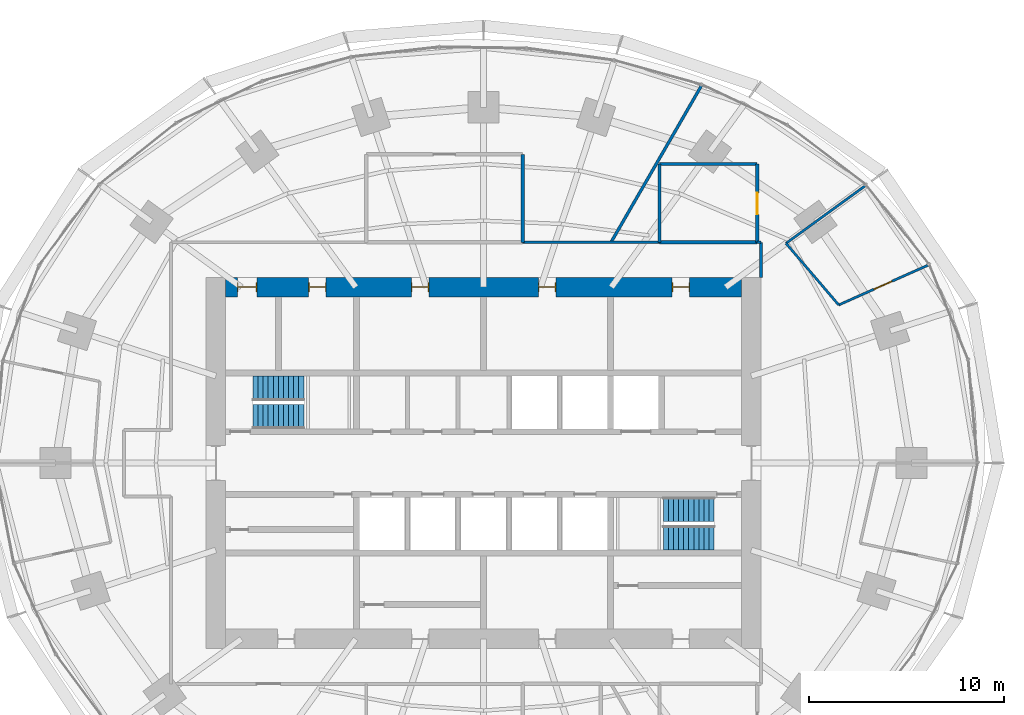
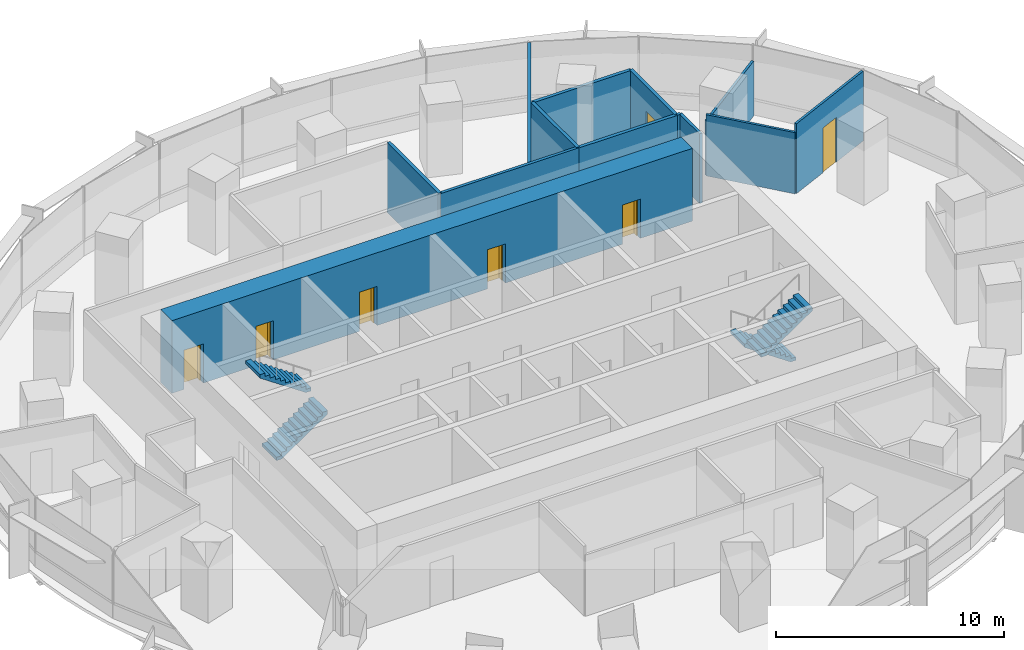
# One storey, part 12 of 14: 13 walls, 7 doors, 4 stair flights, 7 openings, 2 elements without a shape of their own.
"""IFC4 building model written with IfcOpenShell, lengths in metres."""

from ifc_helpers import new_model, si_unit, direction, frame, frame_2d, origin, place, context, subcontext, project, spatial, polyline, rectangle, outline, extrude, material, layer, layer_set, type_object, element, fill, aggregate, save


model = new_model("IFC4")

# Units and contexts
model_context = context("Model", 3, precision=1e-05, world=origin(), true_north=direction((0.0, 1.0)))
body_context = subcontext(model_context, "Body", "Model", "MODEL_VIEW")
ifc_project = project(units=[si_unit("LENGTHUNIT", "METRE"), si_unit("AREAUNIT", "SQUARE_METRE"), si_unit("VOLUMEUNIT", "CUBIC_METRE"), si_unit("PLANEANGLEUNIT", "RADIAN"), si_unit("MASSUNIT", "GRAM", prefix="KILO")], contexts=[model_context])

# Site, building, storey
site_placement = place(None, origin())
site = spatial("IfcSite", under=ifc_project, at=site_placement, CompositionType="ELEMENT")
building_placement = place(site_placement, origin())
building = spatial("IfcBuilding", under=site, at=building_placement, Name="Marramba Exchange Tower", CompositionType="ELEMENT")
storey_placement = place(building_placement, frame((0.0, 0.0, 150.89990234375)))
storey = spatial("IfcBuildingStorey", under=building, at=storey_placement, Name="L36", CompositionType="ELEMENT", Elevation=150.89990234375)

# Wall, opening, door
ifc_material_1 = material(Name="Plasterboard on staggered double steel studs, acoustic insulation", Category="steel")
ifc_layer_1 = layer(ifc_material_1, 0.169921875)
ifc_layer_set_1 = layer_set([ifc_layer_1], Name="Acoustic partition 170")
wall_type_1 = type_object("IfcWallType", Name="Acoustic partition 170", PredefinedType="PARTITIONING", material=ifc_layer_set_1)
wall_1_placement = place(storey_placement, frame((14.0, 11.300048828125, 0.0), z_axis=(0.0, 0.0, 1.0), x_axis=(0.0, 1.0, 0.0)))
wall_1 = element("IfcWall", 1, at=wall_1_placement, inside=storey, type_object=wall_type_1, Name="Acoustic partition L36 28", PredefinedType="PARTITIONING", context=body_context, shape_type="SweptSolid", body=[
    extrude(rectangle(XDim=4.0, YDim=0.169921875, at=frame_2d((2.0, 0.0))), origin(), (0.0, 0.0, 1.0), 3.739990234375),
])
opening_1_placement = place(wall_1_placement, frame((1.424072265625, 0.0, 0.0)))
opening_1 = element("IfcOpeningElement", 2, at=opening_1_placement, cuts=wall_1, Name="Opening D15", PredefinedType="OPENING", context=body_context, shape_type="SweptSolid", body=[
    extrude(rectangle(XDim=1.10009765625, YDim=2.39990234375, at=frame_2d((0.550048828125, 1.199951171875))), frame((0.0, 0.094970703125, 0.0), z_axis=(0.0, -1.0, 0.0), x_axis=(1.0, 0.0, 0.0)), (0.0, 0.0, 1.0), 0.18994140625),
])
ifc_material_2 = material(Name="Timber door", Category="wood")
door_type_1 = type_object("IfcDoorType", Name="Glazed meeting room door 1100x2400", OperationType="SINGLE_SWING_LEFT", PredefinedType="DOOR", material=ifc_material_2)
door_1_placement = place(opening_1_placement, origin())
door_1 = element("IfcDoor", 3, at=door_1_placement, inside=storey, type_object=door_type_1, Name="D15 Meeting Room 1 L36", OperationType="SINGLE_SWING_LEFT", OverallHeight=2.39990234375, OverallWidth=1.10009765625, PredefinedType="DOOR", context=body_context, shape_type="SweptSolid", body=[
    extrude(rectangle(XDim=1.10009765625, YDim=2.39990234375, at=frame_2d((0.550048828125, 1.199951171875))), frame((0.0, 0.02490234375, 0.0), z_axis=(0.0, -1.0, 0.0), x_axis=(1.0, 0.0, 0.0)), (0.0, 0.0, 1.0), 0.050048828125),
])
fill(opening_1, door_1)

# Walls
for number, where, z_axis, x_axis, name in (
    (4, (9.0, 11.300048828125, 0.0), (0.0, 0.0, 1.0), (1.0, 0.0, 0.0), "Acoustic partition L36 29"),
    (5, (14.0, 15.300048828125, 0.0), (0.0, 0.0, 1.0), (-1.0, 0.0, 0.0), "Acoustic partition L36 30"),
):
    element("IfcWall", number, at=place(storey_placement, frame(where, z_axis=z_axis, x_axis=x_axis)), inside=storey, type_object=wall_type_1, Name=name, PredefinedType="PARTITIONING", context=body_context, shape_type="SweptSolid", body=[
        extrude(rectangle(XDim=5.0, YDim=0.169921875, at=frame_2d((2.5, 0.0))), origin(), (0.0, 0.0, 1.0), 3.739990234375),
    ])
wall_2_placement = place(storey_placement, frame((9.0, 15.300048828125, 0.0), z_axis=(0.0, 0.0, 1.0), x_axis=(0.0, -1.0, 0.0)))
element("IfcWall", 6, at=wall_2_placement, inside=storey, type_object=wall_type_1, Name="Acoustic partition L36 31", PredefinedType="PARTITIONING", context=body_context, shape_type="SweptSolid", body=[
    extrude(rectangle(XDim=4.0, YDim=0.169921875, at=frame_2d((2.0, 0.0))), origin(), (0.0, 0.0, 1.0), 3.739990234375),
])
wall_3_placement = place(storey_placement, frame((2.0, 11.300048828125, 0.0), z_axis=(0.0, 0.0, 1.0), x_axis=(0.0, 1.0, 0.0)))
element("IfcWall", 7, at=wall_3_placement, inside=storey, type_object=wall_type_1, Name="Acoustic partition L36 34", PredefinedType="PARTITIONING", context=body_context, shape_type="SweptSolid", body=[
    extrude(rectangle(XDim=4.5, YDim=0.169921875, at=frame_2d((2.25, 0.0))), origin(), (0.0, 0.0, 1.0), 3.739990234375),
])

# Wall, openings, doors
ifc_material_3 = material(Name="Concrete N50", Category="concrete")
ifc_layer_2 = layer(ifc_material_3, 1.0)
ifc_layer_set_2 = layer_set([ifc_layer_2], Name="Core wall 1000")
wall_type_2 = type_object("IfcWallType", Name="Core wall 1000", PredefinedType="SHEAR", material=ifc_layer_set_2)
wall_4_placement = place(storey_placement, frame((13.199951171875, 9.0, 0.0), z_axis=(0.0, 0.0, 1.0), x_axis=(-1.0, 0.0, 0.0)))
wall_4 = element("IfcWall", 8, at=wall_4_placement, inside=storey, type_object=wall_type_2, Name="Core wall N L36", PredefinedType="SHEAR", context=body_context, shape_type="SweptSolid", body=[
    extrude(rectangle(XDim=26.39990234375, YDim=1.0, at=frame_2d((13.199951171875, 0.0))), origin(), (0.0, 0.0, 1.0), 3.900146484375),
])
opening_2_placement = place(wall_4_placement, frame((2.64990234375, 0.0, 0.0)))
opening_2 = element("IfcOpeningElement", 9, at=opening_2_placement, cuts=wall_4, Name="Opening D5", PredefinedType="OPENING", context=body_context, shape_type="SweptSolid", body=[
    extrude(rectangle(XDim=0.89990234375, YDim=2.10009765625, at=frame_2d((0.449951171875, 1.050048828125))), frame((0.0, 0.510009765625, 0.0), z_axis=(0.0, -1.0, 0.0), x_axis=(1.0, 0.0, 0.0)), (0.0, 0.0, 1.0), 1.02001953125),
])
opening_3_placement = place(wall_4_placement, frame((9.5, 0.0, 0.0)))
opening_3 = element("IfcOpeningElement", 10, at=opening_3_placement, cuts=wall_4, Name="Opening D3", PredefinedType="OPENING", context=body_context, shape_type="SweptSolid", body=[
    extrude(rectangle(XDim=0.89990234375, YDim=2.10009765625, at=frame_2d((0.449951171875, 1.050048828125))), frame((0.0, 0.510009765625, 0.0), z_axis=(0.0, -1.0, 0.0), x_axis=(1.0, 0.0, 0.0)), (0.0, 0.0, 1.0), 1.02001953125),
])
opening_4_placement = place(wall_4_placement, frame((16.0, 0.0, 0.0)))
opening_4 = element("IfcOpeningElement", 11, at=opening_4_placement, cuts=wall_4, Name="Opening D3", PredefinedType="OPENING", context=body_context, shape_type="SweptSolid", body=[
    extrude(rectangle(XDim=0.89990234375, YDim=2.10009765625, at=frame_2d((0.449951171875, 1.050048828125))), frame((0.0, 0.510009765625, 0.0), z_axis=(0.0, -1.0, 0.0), x_axis=(1.0, 0.0, 0.0)), (0.0, 0.0, 1.0), 1.02001953125),
])
opening_5_placement = place(wall_4_placement, frame((21.25, 0.0, 0.0)))
opening_5 = element("IfcOpeningElement", 12, at=opening_5_placement, cuts=wall_4, Name="Opening D5", PredefinedType="OPENING", context=body_context, shape_type="SweptSolid", body=[
    extrude(rectangle(XDim=0.89990234375, YDim=2.10009765625, at=frame_2d((0.449951171875, 1.050048828125))), frame((0.0, 0.510009765625, 0.0), z_axis=(0.0, -1.0, 0.0), x_axis=(1.0, 0.0, 0.0)), (0.0, 0.0, 1.0), 1.02001953125),
])
opening_6_placement = place(wall_4_placement, frame((24.800048828125, 0.0, 0.0)))
opening_6 = element("IfcOpeningElement", 13, at=opening_6_placement, cuts=wall_4, Name="Opening D4", PredefinedType="OPENING", context=body_context, shape_type="SweptSolid", body=[
    extrude(rectangle(XDim=1.0, YDim=2.10009765625, at=frame_2d((0.5, 1.050048828125))), frame((0.0, 0.510009765625, 0.0), z_axis=(0.0, -1.0, 0.0), x_axis=(1.0, 0.0, 0.0)), (0.0, 0.0, 1.0), 1.02001953125),
])
ifc_material_4 = material(Name="Steel-framed door", Category="steel")
door_type_2 = type_object("IfcDoorType", Name="Accessible toilet door 1000x2100", OperationType="SINGLE_SWING_LEFT", PredefinedType="DOOR", material=ifc_material_4)
door_2_placement = place(opening_6_placement, origin())
door_2 = element("IfcDoor", 14, at=door_2_placement, inside=storey, type_object=door_type_2, Name="D4 awc L36", OperationType="SINGLE_SWING_RIGHT", OverallHeight=2.10009765625, OverallWidth=1.0, PredefinedType="DOOR", context=body_context, shape_type="SweptSolid", body=[
    extrude(rectangle(XDim=0.919921875, YDim=2.06005859375, at=frame_2d((0.5, 1.030029296875))), frame((0.0, 0.02490234375, 0.0), z_axis=(0.0, -1.0, 0.0), x_axis=(1.0, 0.0, 0.0)), (0.0, 0.0, 1.0), 0.050048828125),
    extrude(rectangle(XDim=0.04, YDim=2.10009765625, at=frame_2d((0.02001953125, 1.050048828125))), frame((0.0, 0.25, 0.0), z_axis=(0.0, -1.0, 0.0), x_axis=(1.0, 0.0, 0.0)), (0.0, 0.0, 1.0), 0.5),
    extrude(rectangle(XDim=0.04, YDim=2.10009765625, at=frame_2d((0.97998046875, 1.050048828125))), frame((0.0, 0.25, 0.0), z_axis=(0.0, -1.0, 0.0), x_axis=(1.0, 0.0, 0.0)), (0.0, 0.0, 1.0), 0.5),
    extrude(rectangle(XDim=0.919921875, YDim=0.04, at=frame_2d((0.5, 2.080078125))), frame((0.0, 0.25, 0.0), z_axis=(0.0, -1.0, 0.0), x_axis=(1.0, 0.0, 0.0)), (0.0, 0.0, 1.0), 0.5),
])
fill(opening_6, door_2)
door_type_3 = type_object("IfcDoorType", Name="Service door 900x2100", OperationType="SINGLE_SWING_LEFT", PredefinedType="DOOR", material=ifc_material_4)
door_3_placement = place(opening_2_placement, origin())
door_3 = element("IfcDoor", 15, at=door_3_placement, inside=storey, type_object=door_type_3, Name="D5 comms L36", OperationType="SINGLE_SWING_LEFT", OverallHeight=2.10009765625, OverallWidth=0.89990234375, PredefinedType="DOOR", context=body_context, shape_type="SweptSolid", body=[
    extrude(rectangle(XDim=0.81982421875, YDim=2.06005859375, at=frame_2d((0.449951171875, 1.030029296875))), frame((0.0, 0.02490234375, 0.0), z_axis=(0.0, -1.0, 0.0), x_axis=(1.0, 0.0, 0.0)), (0.0, 0.0, 1.0), 0.050048828125),
    extrude(rectangle(XDim=0.04, YDim=2.10009765625, at=frame_2d((0.02001953125, 1.050048828125))), frame((0.0, 0.25, 0.0), z_axis=(0.0, -1.0, 0.0), x_axis=(1.0, 0.0, 0.0)), (0.0, 0.0, 1.0), 0.5),
    extrude(rectangle(XDim=0.04, YDim=2.10009765625, at=frame_2d((0.8798828125, 1.050048828125))), frame((0.0, 0.25, 0.0), z_axis=(0.0, -1.0, 0.0), x_axis=(1.0, 0.0, 0.0)), (0.0, 0.0, 1.0), 0.5),
    extrude(rectangle(XDim=0.81982421875, YDim=0.04, at=frame_2d((0.449951171875, 2.080078125))), frame((0.0, 0.25, 0.0), z_axis=(0.0, -1.0, 0.0), x_axis=(1.0, 0.0, 0.0)), (0.0, 0.0, 1.0), 0.5),
])
fill(opening_2, door_3)
door_4_placement = place(opening_5_placement, origin())
door_4 = element("IfcDoor", 16, at=door_4_placement, inside=storey, type_object=door_type_3, Name="D5 cleaner L36", OperationType="SINGLE_SWING_RIGHT", OverallHeight=2.10009765625, OverallWidth=0.89990234375, PredefinedType="DOOR", context=body_context, shape_type="SweptSolid", body=[
    extrude(rectangle(XDim=0.81982421875, YDim=2.06005859375, at=frame_2d((0.449951171875, 1.030029296875))), frame((0.0, 0.02490234375, 0.0), z_axis=(0.0, -1.0, 0.0), x_axis=(1.0, 0.0, 0.0)), (0.0, 0.0, 1.0), 0.050048828125),
    extrude(rectangle(XDim=0.04, YDim=2.10009765625, at=frame_2d((0.02001953125, 1.050048828125))), frame((0.0, 0.25, 0.0), z_axis=(0.0, -1.0, 0.0), x_axis=(1.0, 0.0, 0.0)), (0.0, 0.0, 1.0), 0.5),
    extrude(rectangle(XDim=0.04, YDim=2.10009765625, at=frame_2d((0.8798828125, 1.050048828125))), frame((0.0, 0.25, 0.0), z_axis=(0.0, -1.0, 0.0), x_axis=(1.0, 0.0, 0.0)), (0.0, 0.0, 1.0), 0.5),
    extrude(rectangle(XDim=0.81982421875, YDim=0.04, at=frame_2d((0.449951171875, 2.080078125))), frame((0.0, 0.25, 0.0), z_axis=(0.0, -1.0, 0.0), x_axis=(1.0, 0.0, 0.0)), (0.0, 0.0, 1.0), 0.5),
])
fill(opening_5, door_4)
door_type_4 = type_object("IfcDoorType", Name="Toilet door 900x2100", OperationType="SINGLE_SWING_LEFT", PredefinedType="DOOR", material=ifc_material_4)
door_5_placement = place(opening_3_placement, origin())
door_5 = element("IfcDoor", 17, at=door_5_placement, inside=storey, type_object=door_type_4, Name="D3 wc-f L36", OperationType="SINGLE_SWING_RIGHT", OverallHeight=2.10009765625, OverallWidth=0.89990234375, PredefinedType="DOOR", context=body_context, shape_type="SweptSolid", body=[
    extrude(rectangle(XDim=0.81982421875, YDim=2.06005859375, at=frame_2d((0.449951171875, 1.030029296875))), frame((0.0, 0.02490234375, 0.0), z_axis=(0.0, -1.0, 0.0), x_axis=(1.0, 0.0, 0.0)), (0.0, 0.0, 1.0), 0.050048828125),
    extrude(rectangle(XDim=0.04, YDim=2.10009765625, at=frame_2d((0.02001953125, 1.050048828125))), frame((0.0, 0.25, 0.0), z_axis=(0.0, -1.0, 0.0), x_axis=(1.0, 0.0, 0.0)), (0.0, 0.0, 1.0), 0.5),
    extrude(rectangle(XDim=0.04, YDim=2.10009765625, at=frame_2d((0.8798828125, 1.050048828125))), frame((0.0, 0.25, 0.0), z_axis=(0.0, -1.0, 0.0), x_axis=(1.0, 0.0, 0.0)), (0.0, 0.0, 1.0), 0.5),
    extrude(rectangle(XDim=0.81982421875, YDim=0.04, at=frame_2d((0.449951171875, 2.080078125))), frame((0.0, 0.25, 0.0), z_axis=(0.0, -1.0, 0.0), x_axis=(1.0, 0.0, 0.0)), (0.0, 0.0, 1.0), 0.5),
])
fill(opening_3, door_5)
door_6_placement = place(opening_4_placement, origin())
door_6 = element("IfcDoor", 18, at=door_6_placement, inside=storey, type_object=door_type_4, Name="D3 wc-m L36", OperationType="SINGLE_SWING_RIGHT", OverallHeight=2.10009765625, OverallWidth=0.89990234375, PredefinedType="DOOR", context=body_context, shape_type="SweptSolid", body=[
    extrude(rectangle(XDim=0.81982421875, YDim=2.06005859375, at=frame_2d((0.449951171875, 1.030029296875))), frame((0.0, 0.02490234375, 0.0), z_axis=(0.0, -1.0, 0.0), x_axis=(1.0, 0.0, 0.0)), (0.0, 0.0, 1.0), 0.050048828125),
    extrude(rectangle(XDim=0.04, YDim=2.10009765625, at=frame_2d((0.02001953125, 1.050048828125))), frame((0.0, 0.25, 0.0), z_axis=(0.0, -1.0, 0.0), x_axis=(1.0, 0.0, 0.0)), (0.0, 0.0, 1.0), 0.5),
    extrude(rectangle(XDim=0.04, YDim=2.10009765625, at=frame_2d((0.8798828125, 1.050048828125))), frame((0.0, 0.25, 0.0), z_axis=(0.0, -1.0, 0.0), x_axis=(1.0, 0.0, 0.0)), (0.0, 0.0, 1.0), 0.5),
    extrude(rectangle(XDim=0.81982421875, YDim=0.04, at=frame_2d((0.449951171875, 2.080078125))), frame((0.0, 0.25, 0.0), z_axis=(0.0, -1.0, 0.0), x_axis=(1.0, 0.0, 0.0)), (0.0, 0.0, 1.0), 0.5),
])
fill(opening_4, door_6)

# Wall, opening, door
ifc_material_5 = material(Name="Plasterboard on steel studs", Category="steel")
ifc_layer_3 = layer(ifc_material_5, 0.1201171875)
ifc_layer_set_3 = layer_set([ifc_layer_3], Name="Partition 120")
wall_type_3 = type_object("IfcWallType", Name="Partition 120", PredefinedType="PARTITIONING", material=ifc_layer_set_3)
wall_5_placement = place(storey_placement, frame((18.174560546875, 8.091796875, 0.0), z_axis=(0.0, 0.0, 1.0), x_axis=(0.913541529049, 0.406745466726, 0.0)))
wall_5 = element("IfcWall", 19, at=wall_5_placement, inside=storey, type_object=wall_type_3, Name="Partition L36 23", PredefinedType="PARTITIONING", context=body_context, shape_type="SweptSolid", body=[
    extrude(rectangle(XDim=5.0, YDim=0.1201171875, at=frame_2d((2.5, 0.0))), origin(), (0.0, 0.0, 1.0), 3.739990234375),
])
opening_7_placement = place(wall_5_placement, frame((1.97509765625, 0.0, 0.0)))
opening_7 = element("IfcOpeningElement", 20, at=opening_7_placement, cuts=wall_5, Name="Opening D9", PredefinedType="OPENING", context=body_context, shape_type="SweptSolid", body=[
    extrude(rectangle(XDim=1.0, YDim=2.39990234375, at=frame_2d((0.5, 1.199951171875))), frame((0.0, 0.070068359375, 0.0), z_axis=(0.0, -1.0, 0.0), x_axis=(1.0, 0.0, 0.0)), (0.0, 0.0, 1.0), 0.14013671875),
])
door_type_5 = type_object("IfcDoorType", Name="Room door 1000x2400", OperationType="SINGLE_SWING_LEFT", PredefinedType="DOOR", material=ifc_material_2)
door_7_placement = place(opening_7_placement, origin())
door_7 = element("IfcDoor", 21, at=door_7_placement, inside=storey, type_object=door_type_5, Name="D9 Office 1 L36", OperationType="SINGLE_SWING_RIGHT", OverallHeight=2.39990234375, OverallWidth=1.0, PredefinedType="DOOR", context=body_context, shape_type="SweptSolid", body=[
    extrude(rectangle(XDim=1.0, YDim=2.39990234375, at=frame_2d((0.5, 1.199951171875))), frame((0.0, 0.02490234375, 0.0), z_axis=(0.0, -1.0, 0.0), x_axis=(1.0, 0.0, 0.0)), (0.0, 0.0, 1.0), 0.050048828125),
])
fill(opening_7, door_7)

# Walls
wall_6_placement = place(storey_placement, frame((15.4765625, 11.244384765625, 0.0), z_axis=(0.0, 0.0, 1.0), x_axis=(0.650204888553, -0.759758911038, 0.0)))
element("IfcWall", 22, at=wall_6_placement, inside=storey, type_object=wall_type_3, Name="Partition L36 24", PredefinedType="PARTITIONING", context=body_context, shape_type="SweptSolid", body=[
    extrude(rectangle(XDim=4.1494140625, YDim=0.1201171875, at=frame_2d((2.07470703125, 0.0))), origin(), (0.0, 0.0, 1.0), 3.2861328125),
])
wall_7_placement = place(storey_placement, frame((19.521484375, 14.18310546875, 0.0), z_axis=(0.0, 0.0, 1.0), x_axis=(-0.809025274756, -0.587773855157, 0.0)))
element("IfcWall", 23, at=wall_7_placement, inside=storey, type_object=wall_type_3, Name="Partition L36 25", PredefinedType="PARTITIONING", context=body_context, shape_type="SweptSolid", body=[
    extrude(rectangle(XDim=4.999755859375, YDim=0.1201171875, at=frame_2d((2.5, 0.0))), origin(), (0.0, 0.0, 1.0), 2.940185546875),
])
ifc_material_6 = material(Name="Fire-rated plasterboard on steel studs, acoustic insulation", Category="steel")
ifc_layer_4 = layer(ifc_material_6, 0.14990234375)
ifc_layer_set_4 = layer_set([ifc_layer_4], Name="Tenancy wall 150")
wall_type_4 = type_object("IfcWallType", Name="Tenancy wall 150", PredefinedType="PARTITIONING", material=ifc_layer_set_4)
wall_8_placement = place(storey_placement, frame((14.199951171875, 9.5, 0.0), z_axis=(0.0, 0.0, 1.0), x_axis=(0.0, 1.0, 0.0)))
element("IfcWall", 24, at=wall_8_placement, inside=storey, type_object=wall_type_4, Name="Tenancy wall L36 26", PredefinedType="PARTITIONING", context=body_context, shape_type="SweptSolid", body=[
    extrude(rectangle(XDim=1.800048828125, YDim=0.14990234375, at=frame_2d((0.89990234375, 0.0))), origin(), (0.0, 0.0, 1.0), 3.739990234375),
])
wall_9_placement = place(storey_placement, frame((14.199951171875, 11.300048828125, 0.0), z_axis=(0.0, 0.0, 1.0), x_axis=(-1.0, 0.0, 0.0)))
element("IfcWall", 25, at=wall_9_placement, inside=storey, type_object=wall_type_4, Name="Tenancy wall L36 27", PredefinedType="PARTITIONING", context=body_context, shape_type="SweptSolid", body=[
    extrude(rectangle(XDim=0.199951171875, YDim=0.14990234375, at=frame_2d((0.10009765625, 0.0))), origin(), (0.0, 0.0, 1.0), 3.739990234375),
])
wall_10_placement = place(storey_placement, frame((6.524169921875, 11.300048828125, 0.0), z_axis=(0.0, 0.0, 1.0), x_axis=(0.499995827671, 0.866027812666, 0.0)))
element("IfcWall", 26, at=wall_10_placement, inside=storey, type_object=wall_type_4, Name="Tenancy wall L36 32", PredefinedType="PARTITIONING", context=body_context, shape_type="SweptSolid", body=[
    extrude(rectangle(XDim=9.22509765625, YDim=0.14990234375, at=frame_2d((4.612548828125, 0.0))), origin(), (0.0, 0.0, 1.0), 3.739990234375),
])
wall_11_placement = place(storey_placement, frame((9.0, 11.300048828125, 0.0), z_axis=(0.0, 0.0, 1.0), x_axis=(-1.0, 0.0, 0.0)))
element("IfcWall", 27, at=wall_11_placement, inside=storey, type_object=wall_type_4, Name="Tenancy wall L36 33", PredefinedType="PARTITIONING", context=body_context, shape_type="SweptSolid", body=[
    extrude(rectangle(XDim=7.0, YDim=0.14990234375, at=frame_2d((3.5, 0.0))), origin(), (0.0, 0.0, 1.0), 3.739990234375),
])

# Stair, stair flights
ifc_material_7 = material(Name="Concrete N40 (40 MPa)", Category="concrete")
stair_type_1 = type_object("IfcStairType", Name="Exit stair ST1 3900 x 1250", PredefinedType="HALF_TURN_STAIR", material=ifc_material_7)
stair_1_placement = place(storey_placement, origin())
stair_1 = element("IfcStair", 28, at=stair_1_placement, inside=storey, type_object=stair_type_1, Name="Exit stair ST1 L36", PredefinedType="HALF_TURN_STAIR")
stair_flight_type_1 = type_object("IfcStairFlightType", Name="ST1 stair flight 1773 riser 1250 wide", PredefinedType="STRAIGHT", material=ifc_material_7)
stair_flight_1_placement = place(storey_placement, frame((-11.800048828125, 2.375, 0.0), z_axis=(0.0, 0.0, 1.0), x_axis=(1.0, 0.0, 0.0)))
stair_flight_1 = element("IfcStairFlight", 29, at=stair_flight_1_placement, type_object=stair_flight_type_1, Name="ST1 flight 1", NumberOfRisers=11, NumberOfTreads=10, PredefinedType="STRAIGHT", RiserHeight=0.177272727, TreadLength=0.26, context=body_context, shape_type="SweptSolid", body=[
    extrude(outline(polyline([(0.0, 0.0), (0.0, 0.17724609375), (0.260009765625, 0.17724609375), (0.260009765625, 0.3544921875), (0.52001953125, 0.3544921875), (0.52001953125, 0.53173828125), (0.780029296875, 0.53173828125), (0.780029296875, 0.708984375), (1.0400390625, 0.708984375), (1.0400390625, 0.886474609375), (1.300048828125, 0.886474609375), (1.300048828125, 1.063720703125), (1.56005859375, 1.063720703125), (1.56005859375, 1.240966796875), (1.820068359375, 1.240966796875), (1.820068359375, 1.418212890625), (2.080078125, 1.418212890625), (2.080078125, 1.595458984375), (2.340087890625, 1.595458984375), (2.340087890625, 1.772705078125), (2.60009765625, 1.772705078125), (2.60009765625, 1.949951171875), (2.60009765625, 1.59130859375), (0.26611328125, 0.0), (0.0, 0.0)])), frame((0.0, 0.625, 0.0), z_axis=(0.0, -1.0, 0.0), x_axis=(1.0, 0.0, 0.0)), (0.0, 0.0, 1.0), 1.25),
])
stair_flight_2_placement = place(storey_placement, frame((-9.199951171875, 3.824951171875, 1.9501953125), z_axis=(0.0, 0.0, 1.0), x_axis=(-1.0, 0.0, 0.0)))
stair_flight_2 = element("IfcStairFlight", 30, at=stair_flight_2_placement, type_object=stair_flight_type_1, Name="ST1 flight 2", NumberOfRisers=11, NumberOfTreads=10, PredefinedType="STRAIGHT", RiserHeight=0.177272727, TreadLength=0.26, context=body_context, shape_type="SweptSolid", body=[
    extrude(outline(polyline([(0.0, 0.0), (0.0, 0.17724609375), (0.260009765625, 0.17724609375), (0.260009765625, 0.3544921875), (0.52001953125, 0.3544921875), (0.52001953125, 0.53173828125), (0.780029296875, 0.53173828125), (0.780029296875, 0.708984375), (1.0400390625, 0.708984375), (1.0400390625, 0.886474609375), (1.300048828125, 0.886474609375), (1.300048828125, 1.063720703125), (1.56005859375, 1.063720703125), (1.56005859375, 1.240966796875), (1.820068359375, 1.240966796875), (1.820068359375, 1.418212890625), (2.080078125, 1.418212890625), (2.080078125, 1.595458984375), (2.340087890625, 1.595458984375), (2.340087890625, 1.772705078125), (2.60009765625, 1.772705078125), (2.60009765625, 1.949951171875), (2.60009765625, 1.59130859375), (0.26611328125, 0.0), (0.0, 0.0)])), frame((0.0, 0.625, 0.0), z_axis=(0.0, -1.0, 0.0), x_axis=(1.0, 0.0, 0.0)), (0.0, 0.0, 1.0), 1.25),
])
aggregate(stair_1, [stair_flight_1, stair_flight_2])

stair_type_2 = type_object("IfcStairType", Name="Exit stair ST2 3900 x 1250", PredefinedType="HALF_TURN_STAIR", material=ifc_material_7)
stair_2_placement = place(storey_placement, origin())
stair_2 = element("IfcStair", 31, at=stair_2_placement, inside=storey, type_object=stair_type_2, Name="Exit stair ST2 L36", PredefinedType="HALF_TURN_STAIR")
stair_flight_type_2 = type_object("IfcStairFlightType", Name="ST2 stair flight 1773 riser 1250 wide", PredefinedType="STRAIGHT", material=ifc_material_7)
stair_flight_3_placement = place(storey_placement, frame((11.800048828125, -2.375, 0.0), z_axis=(0.0, 0.0, 1.0), x_axis=(-1.0, 0.0, 0.0)))
stair_flight_3 = element("IfcStairFlight", 32, at=stair_flight_3_placement, type_object=stair_flight_type_2, Name="ST2 flight 1", NumberOfRisers=11, NumberOfTreads=10, PredefinedType="STRAIGHT", RiserHeight=0.177272727, TreadLength=0.26, context=body_context, shape_type="SweptSolid", body=[
    extrude(outline(polyline([(0.0, 0.0), (0.0, 0.17724609375), (0.260009765625, 0.17724609375), (0.260009765625, 0.3544921875), (0.52001953125, 0.3544921875), (0.52001953125, 0.53173828125), (0.780029296875, 0.53173828125), (0.780029296875, 0.708984375), (1.0400390625, 0.708984375), (1.0400390625, 0.886474609375), (1.300048828125, 0.886474609375), (1.300048828125, 1.063720703125), (1.56005859375, 1.063720703125), (1.56005859375, 1.240966796875), (1.820068359375, 1.240966796875), (1.820068359375, 1.418212890625), (2.080078125, 1.418212890625), (2.080078125, 1.595458984375), (2.340087890625, 1.595458984375), (2.340087890625, 1.772705078125), (2.60009765625, 1.772705078125), (2.60009765625, 1.949951171875), (2.60009765625, 1.59130859375), (0.26611328125, 0.0), (0.0, 0.0)])), frame((0.0, 0.625, 0.0), z_axis=(0.0, -1.0, 0.0), x_axis=(1.0, 0.0, 0.0)), (0.0, 0.0, 1.0), 1.25),
])
stair_flight_4_placement = place(storey_placement, frame((9.199951171875, -3.824951171875, 1.9501953125), z_axis=(0.0, 0.0, 1.0), x_axis=(1.0, 0.0, 0.0)))
stair_flight_4 = element("IfcStairFlight", 33, at=stair_flight_4_placement, type_object=stair_flight_type_2, Name="ST2 flight 2", NumberOfRisers=11, NumberOfTreads=10, PredefinedType="STRAIGHT", RiserHeight=0.177272727, TreadLength=0.26, context=body_context, shape_type="SweptSolid", body=[
    extrude(outline(polyline([(0.0, 0.0), (0.0, 0.17724609375), (0.260009765625, 0.17724609375), (0.260009765625, 0.3544921875), (0.52001953125, 0.3544921875), (0.52001953125, 0.53173828125), (0.780029296875, 0.53173828125), (0.780029296875, 0.708984375), (1.0400390625, 0.708984375), (1.0400390625, 0.886474609375), (1.300048828125, 0.886474609375), (1.300048828125, 1.063720703125), (1.56005859375, 1.063720703125), (1.56005859375, 1.240966796875), (1.820068359375, 1.240966796875), (1.820068359375, 1.418212890625), (2.080078125, 1.418212890625), (2.080078125, 1.595458984375), (2.340087890625, 1.595458984375), (2.340087890625, 1.772705078125), (2.60009765625, 1.772705078125), (2.60009765625, 1.949951171875), (2.60009765625, 1.59130859375), (0.26611328125, 0.0), (0.0, 0.0)])), frame((0.0, 0.625, 0.0), z_axis=(0.0, -1.0, 0.0), x_axis=(1.0, 0.0, 0.0)), (0.0, 0.0, 1.0), 1.25),
])
aggregate(stair_2, [stair_flight_3, stair_flight_4])

save(model, "model.ifc")
